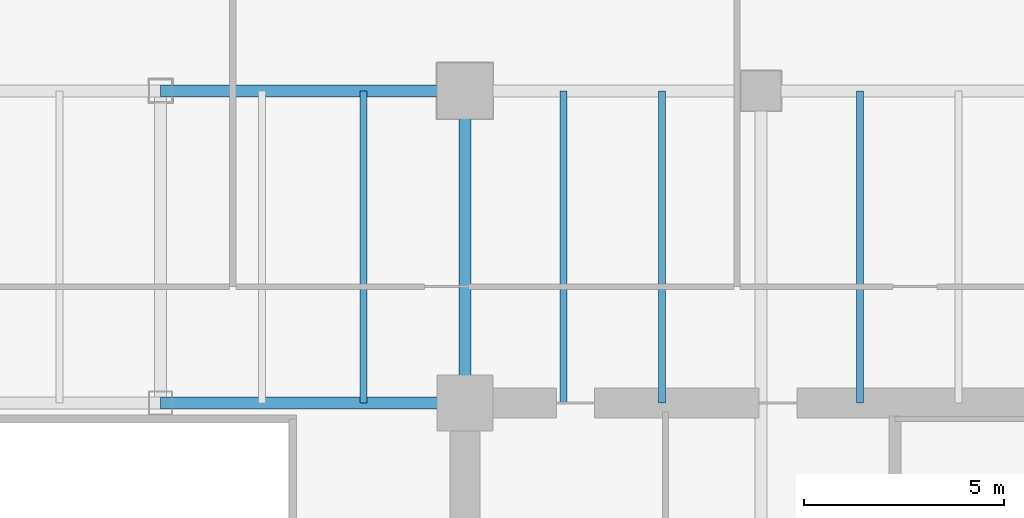
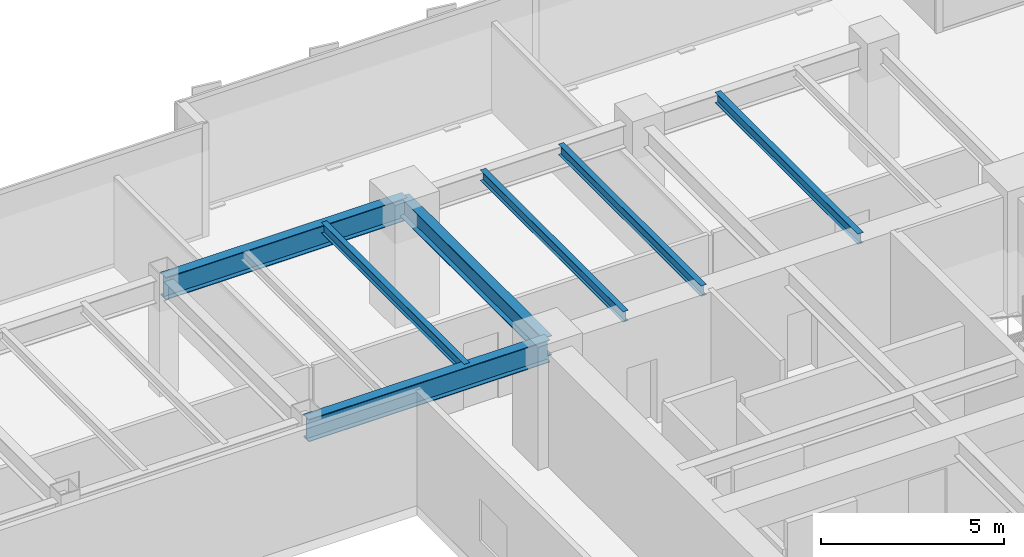
# One storey, part 19 of 37: 7 beams.
"""IFC4 building model written with IfcOpenShell, lengths in metres."""

from ifc_helpers import new_model, si_unit, direction, frame, origin, origin_2d, place, context, subcontext, project, spatial, i_section, extrude, source, transform, mapped, material, material_profile, profile_set, type_object, type_shapes, element, save


model = new_model("IFC4")

# Units and contexts
model_context = context("Model", 3, precision=1e-05, world=origin(), true_north=direction((0.0, 1.0)))
body_context = subcontext(model_context, "Body", "Model", "MODEL_VIEW")
ifc_project = project(units=[si_unit("LENGTHUNIT", "METRE"), si_unit("AREAUNIT", "SQUARE_METRE"), si_unit("VOLUMEUNIT", "CUBIC_METRE"), si_unit("PLANEANGLEUNIT", "RADIAN"), si_unit("MASSUNIT", "GRAM", prefix="KILO")], contexts=[model_context])

# Site, building, storey
site_placement = place(None, origin())
site = spatial("IfcSite", under=ifc_project, at=site_placement, CompositionType="ELEMENT")
building_placement = place(site_placement, origin())
building = spatial("IfcBuilding", under=site, at=building_placement, Name="Haelvirn Gate Laboratories", CompositionType="ELEMENT")
storey_placement = place(building_placement, frame((0.0, 0.0, 74.39990234375)))
storey = spatial("IfcBuildingStorey", under=building, at=storey_placement, Name="L18", CompositionType="ELEMENT", Elevation=74.39990234375)

# Beams
ifc_material = material(Name="Steel SM355", Category="steel")
ifc_material_profile_1 = material_profile(ifc_material, i_section(OverallWidth=0.300048828125, OverallDepth=0.75, WebThickness=0.013916015625, FlangeThickness=0.02392578125, at=origin_2d()), Name="H-750x300x14x24")
ifc_profile_set_1 = profile_set([ifc_material_profile_1], Name="Steel SM355")
beam_type_1 = type_object("IfcBeamType", Name="BM-G-750", PredefinedType="BEAM", material=ifc_profile_set_1)
shared_shape_1 = source(origin(), body_context, "Body", "SweptSolid", [
    extrude(i_section(OverallWidth=0.300048828125, OverallDepth=0.75, WebThickness=0.013916015625, FlangeThickness=0.02392578125, at=origin_2d()), origin(), (0.0, 0.0, 1.0), 7.60009765625),
])
type_shapes(beam_type_1, [shared_shape_1])
for number, where, z_axis, x_axis, name in (
    (1, (45.0, 33.800048828125, 3.405029296875), (1.0, 0.0, 0.0), (0.0, 1.0, 0.0), "L18 Primary Girder Y33.8 (45.0-52.6)"),
    (2, (45.0, 41.60009765625, 3.405029296875), (1.0, 0.0, 0.0), (0.0, 1.0, 0.0), "L18 Primary Girder Y41.6 (45.0-52.6)"),
):
    element("IfcBeam", number, at=place(storey_placement, frame(where, z_axis=z_axis, x_axis=x_axis)), inside=storey, type_object=beam_type_1, Name=name, PredefinedType="BEAM", context=body_context, shape_type="MappedRepresentation", body=[
        mapped(shared_shape_1, transform((0.0, 0.0, 0.0), scale=1.0)),
    ])
ifc_material_profile_2 = material_profile(ifc_material, i_section(OverallWidth=0.175048828125, OverallDepth=0.35009765625, WebThickness=0.007080078125, FlangeThickness=0.010986328125, at=origin_2d()), Name="H-350x175x7x11")
ifc_profile_set_2 = profile_set([ifc_material_profile_2], Name="Steel SM355")
beam_type_2 = type_object("IfcBeamType", Name="BM-J-350", PredefinedType="JOIST", material=ifc_profile_set_2)
shared_shape_2 = source(origin(), body_context, "Body", "SweptSolid", [
    extrude(i_section(OverallWidth=0.175048828125, OverallDepth=0.35009765625, WebThickness=0.007080078125, FlangeThickness=0.010986328125, at=origin_2d()), origin(), (0.0, 0.0, 1.0), 7.800048828125),
])
type_shapes(beam_type_2, [shared_shape_2])
for number, where, z_axis, x_axis, name in (
    (3, (50.070068359375, 33.800048828125, 3.60498046875), (0.0, 1.0, 0.0), (-1.0, 0.0, 0.0), "L18 Composite Lab Joist North X50.07"),
    (4, (55.070068359375, 33.800048828125, 3.60498046875), (0.0, 1.0, 0.0), (-1.0, 0.0, 0.0), "L18 Composite Lab Joist North X55.07"),
    (5, (57.530029296875, 33.800048828125, 3.60498046875), (0.0, 1.0, 0.0), (-1.0, 0.0, 0.0), "L18 Composite Lab Joist North X57.53"),
    (6, (62.469970703125, 33.800048828125, 3.60498046875), (0.0, 1.0, 0.0), (-1.0, 0.0, 0.0), "L18 Composite Lab Joist North X62.47"),
):
    element("IfcBeam", number, at=place(storey_placement, frame(where, z_axis=z_axis, x_axis=x_axis)), inside=storey, type_object=beam_type_2, Name=name, PredefinedType="JOIST", context=body_context, shape_type="MappedRepresentation", body=[
        mapped(shared_shape_2, transform((0.0, 0.0, 0.0), scale=1.0)),
    ])
ifc_material_profile_3 = material_profile(ifc_material, i_section(OverallWidth=0.300048828125, OverallDepth=0.64990234375, WebThickness=0.012939453125, FlangeThickness=0.02197265625, at=origin_2d()), Name="H-650x300x13x22")
ifc_profile_set_3 = profile_set([ifc_material_profile_3], Name="Steel SM355")
beam_type_3 = type_object("IfcBeamType", Name="BM-G-650", PredefinedType="BEAM", material=ifc_profile_set_3)
shared_shape_3 = source(origin(), body_context, "Body", "SweptSolid", [
    extrude(i_section(OverallWidth=0.300048828125, OverallDepth=0.64990234375, WebThickness=0.012939453125, FlangeThickness=0.02197265625, at=origin_2d()), origin(), (0.0, 0.0, 1.0), 7.800048828125),
])
type_shapes(beam_type_3, [shared_shape_3])
beam_placement = place(storey_placement, frame((52.60009765625, 33.800048828125, 3.455078125), z_axis=(0.0, 1.0, 0.0), x_axis=(-1.0, 0.0, 0.0)))
element("IfcBeam", 7, at=beam_placement, inside=storey, type_object=beam_type_3, Name="L18 Frame Girder X52.6 (33.8-41.6)", PredefinedType="BEAM", context=body_context, shape_type="MappedRepresentation", body=[
    mapped(shared_shape_3, transform((0.0, 0.0, 0.0), scale=1.0)),
])

save(model, "model.ifc")
